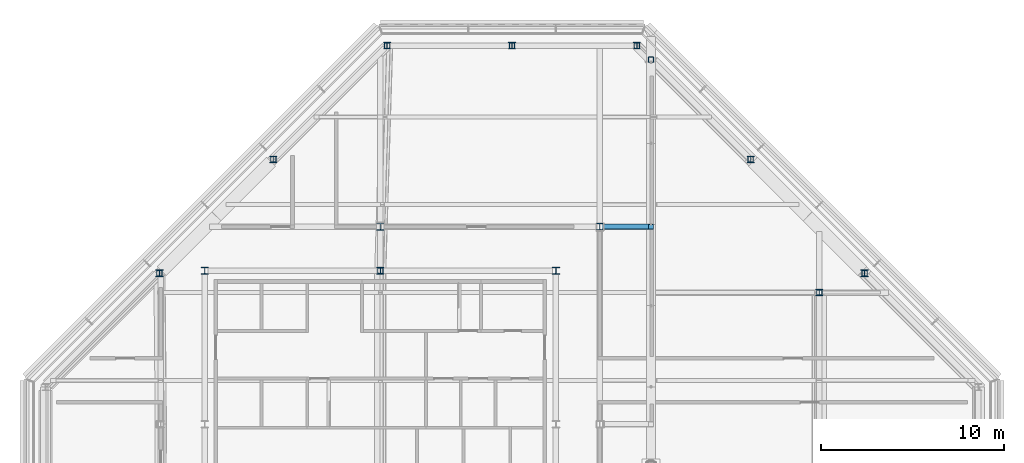
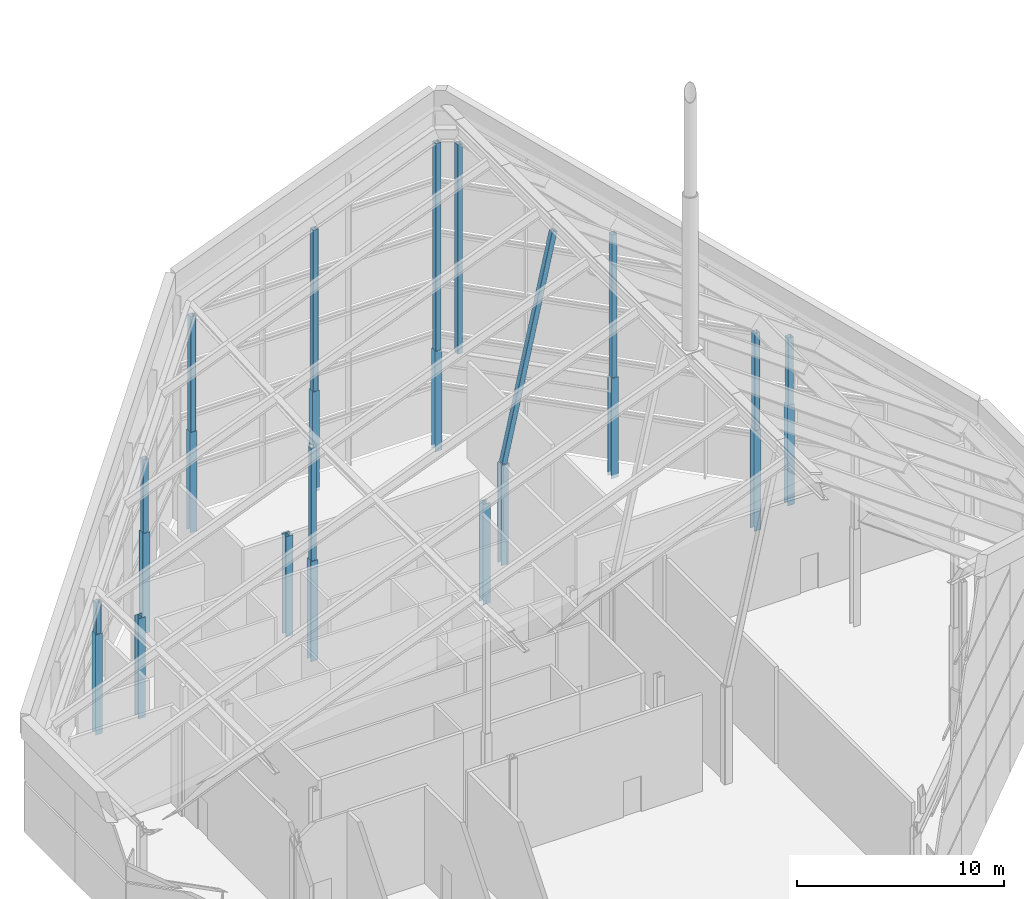
# One storey, part 3 of 21: 24 columns.
"""IFC4 building model written with IfcOpenShell, lengths in metres."""

from ifc_helpers import new_model, si_unit, direction, frame, origin, origin_2d, place, context, subcontext, project, spatial, hollow_rectangle, i_section, extrude, clip, halfspace, material, material_profile, profile_set, type_object, element, save


model = new_model("IFC4")

# Units and contexts
model_context = context("Model", 3, precision=1e-05, world=origin(), true_north=direction((0.0, 1.0)))
body_context = subcontext(model_context, "Body", "Model", "MODEL_VIEW")
ifc_project = project(units=[si_unit("LENGTHUNIT", "METRE"), si_unit("AREAUNIT", "SQUARE_METRE"), si_unit("VOLUMEUNIT", "CUBIC_METRE"), si_unit("PLANEANGLEUNIT", "RADIAN"), si_unit("MASSUNIT", "GRAM", prefix="KILO")], contexts=[model_context])

# Site, building, storey
site_placement = place(None, origin())
site = spatial("IfcSite", under=ifc_project, at=site_placement, CompositionType="ELEMENT")
building_placement = place(site_placement, origin())
building = spatial("IfcBuilding", under=site, at=building_placement, Name="Cairn Pilgrim Tower", CompositionType="ELEMENT")
storey_placement = place(building_placement, frame((0.0, 0.0, 295.800048828125)))
storey = spatial("IfcBuildingStorey", under=building, at=storey_placement, Name="L76", CompositionType="ELEMENT", Elevation=295.800048828125)

# Columns
ifc_material_1 = material(Name="Structural steel S460M", Category="steel")
ifc_material_profile_1 = material_profile(ifc_material_1, hollow_rectangle(XDim=0.300048828125, YDim=0.300048828125, WallThickness=0.01611328125, InnerFilletRadius=0.01611328125, OuterFilletRadius=0.02392578125, at=origin_2d()), Name="SHS 300x300x16")
ifc_profile_set_1 = profile_set([ifc_material_profile_1], Name="Structural steel S460M")
column_type_1 = type_object("IfcColumnType", Name="CROWN POST RHS 300x300x16", PredefinedType="COLUMN", material=ifc_profile_set_1)
column_1_placement = place(storey_placement, frame((33.67578125, 10.651611328125, 5.699951171875), z_axis=(0.0, 0.0, 1.0), x_axis=(1.0, 0.0, 0.0)))
element("IfcColumn", 1, at=column_1_placement, inside=storey, type_object=column_type_1, Name="CROWN POST", PredefinedType="COLUMN", context=body_context, shape_type="SweptSolid", body=[
    extrude(hollow_rectangle(XDim=0.300048828125, YDim=0.300048828125, WallThickness=0.01611328125, InnerFilletRadius=0.01611328125, OuterFilletRadius=0.02392578125, at=origin_2d()), origin(), (0.0, 0.0, 1.0), 3.9384765625),
])
column_2_placement = place(storey_placement, frame((27.451416015625, 16.875732421875, 5.699951171875), z_axis=(0.0, 0.0, 1.0), x_axis=(1.0, 0.0, 0.0)))
element("IfcColumn", 2, at=column_2_placement, inside=storey, type_object=column_type_1, Name="CROWN POST", PredefinedType="COLUMN", context=body_context, shape_type="SweptSolid", body=[
    extrude(hollow_rectangle(XDim=0.300048828125, YDim=0.300048828125, WallThickness=0.01611328125, InnerFilletRadius=0.01611328125, OuterFilletRadius=0.02392578125, at=origin_2d()), origin(), (0.0, 0.0, 1.0), 8.407958984375),
])
column_3_placement = place(storey_placement, frame((21.227294921875, 23.10009765625, 5.699951171875), z_axis=(0.0, 0.0, 1.0), x_axis=(1.0, 0.0, 0.0)))
element("IfcColumn", 3, at=column_3_placement, inside=storey, type_object=column_type_1, Name="CROWN POST", PredefinedType="COLUMN", context=body_context, shape_type="SweptSolid", body=[
    extrude(hollow_rectangle(XDim=0.300048828125, YDim=0.300048828125, WallThickness=0.01611328125, InnerFilletRadius=0.01611328125, OuterFilletRadius=0.02392578125, at=origin_2d()), origin(), (0.0, 0.0, 1.0), 12.201904296875),
])
column_4_placement = place(storey_placement, frame((14.39990234375, 23.10009765625, 5.699951171875), z_axis=(0.0, 0.0, 1.0), x_axis=(1.0, 0.0, 0.0)))
element("IfcColumn", 4, at=column_4_placement, inside=storey, type_object=column_type_1, Name="CROWN POST", PredefinedType="COLUMN", context=body_context, shape_type="SweptSolid", body=[
    extrude(hollow_rectangle(XDim=0.300048828125, YDim=0.300048828125, WallThickness=0.01611328125, InnerFilletRadius=0.01611328125, OuterFilletRadius=0.02392578125, at=origin_2d()), origin(), (0.0, 0.0, 1.0), 9.4912109375),
])
column_5_placement = place(storey_placement, frame((7.57275390625, 23.10009765625, 5.699951171875), z_axis=(0.0, 0.0, 1.0), x_axis=(1.0, 0.0, 0.0)))
element("IfcColumn", 5, at=column_5_placement, inside=storey, type_object=column_type_1, Name="CROWN POST", PredefinedType="COLUMN", context=body_context, shape_type="SweptSolid", body=[
    extrude(hollow_rectangle(XDim=0.300048828125, YDim=0.300048828125, WallThickness=0.01611328125, InnerFilletRadius=0.01611328125, OuterFilletRadius=0.02392578125, at=origin_2d()), origin(), (0.0, 0.0, 1.0), 6.780517578125),
])
column_6_placement = place(storey_placement, frame((1.348388671875, 16.875732421875, 5.699951171875), z_axis=(0.0, 0.0, 1.0), x_axis=(1.0, 0.0, 0.0)))
element("IfcColumn", 6, at=column_6_placement, inside=storey, type_object=column_type_1, Name="CROWN POST", PredefinedType="COLUMN", context=body_context, shape_type="SweptSolid", body=[
    extrude(hollow_rectangle(XDim=0.300048828125, YDim=0.300048828125, WallThickness=0.01611328125, InnerFilletRadius=0.01611328125, OuterFilletRadius=0.02392578125, at=origin_2d()), origin(), (0.0, 0.0, 1.0), 4.30908203125),
])
column_7_placement = place(storey_placement, frame((-4.875732421875, 10.651611328125, 5.699951171875), z_axis=(0.0, 0.0, 1.0), x_axis=(1.0, 0.0, 0.0)))
element("IfcColumn", 7, at=column_7_placement, inside=storey, type_object=column_type_1, Name="CROWN POST", PredefinedType="COLUMN", context=body_context, shape_type="SweptSolid", body=[
    extrude(hollow_rectangle(XDim=0.300048828125, YDim=0.300048828125, WallThickness=0.01611328125, InnerFilletRadius=0.01611328125, OuterFilletRadius=0.02392578125, at=origin_2d()), origin(), (0.0, 0.0, 1.0), 1.837646484375),
])
column_8_placement = place(storey_placement, frame((7.199951171875, 10.800048828125, 5.699951171875), z_axis=(0.0, 0.0, 1.0), x_axis=(1.0, 0.0, 0.0)))
element("IfcColumn", 8, at=column_8_placement, inside=storey, type_object=column_type_1, Name="CROWN POST", PredefinedType="COLUMN", context=body_context, shape_type="SweptSolid", body=[
    extrude(hollow_rectangle(XDim=0.300048828125, YDim=0.300048828125, WallThickness=0.01611328125, InnerFilletRadius=0.01611328125, OuterFilletRadius=0.02392578125, at=origin_2d()), origin(), (0.0, 0.0, 1.0), 6.63232421875),
])
column_9_placement = place(storey_placement, frame((31.199951171875, 9.60009765625, 5.699951171875), z_axis=(0.0, 0.0, 1.0), x_axis=(1.0, 0.0, 0.0)))
element("IfcColumn", 9, at=column_9_placement, inside=storey, type_object=column_type_1, Name="CROWN POST", PredefinedType="COLUMN", context=body_context, shape_type="SweptSolid", body=[
    extrude(hollow_rectangle(XDim=0.300048828125, YDim=0.300048828125, WallThickness=0.01611328125, InnerFilletRadius=0.01611328125, OuterFilletRadius=0.02392578125, at=origin_2d()), origin(), (0.0, 0.0, 1.0), 5.71630859375),
])
column_10_placement = place(storey_placement, frame((19.199951171875, 13.199951171875, 5.699951171875), z_axis=(0.214971196898, 0.0, 0.97662038915), x_axis=(0.0, 1.0, 0.0)))
element("IfcColumn", 10, at=column_10_placement, inside=storey, type_object=column_type_1, Name="CROWN POST", PredefinedType="COLUMN", context=body_context, shape_type="Clipping", body=[
    clip(extrude(hollow_rectangle(XDim=0.300048828125, YDim=0.300048828125, WallThickness=0.01611328125, InnerFilletRadius=0.01611328125, OuterFilletRadius=0.02392578125, at=origin_2d()), origin(), (0.0, 0.0, 1.0), 13.025146484375), halfspace(frame((0.0, 0.0, 0.032470703125), z_axis=(0.0, 0.0, 1.0), x_axis=(1.0, 0.0, 0.0)), True)),
])
ifc_material_profile_2 = material_profile(ifc_material_1, hollow_rectangle(XDim=0.300048828125, YDim=0.300048828125, WallThickness=0.01611328125, InnerFilletRadius=0.01611328125, OuterFilletRadius=0.02392578125, at=origin_2d()), Name="SHS 300x300x16")
ifc_profile_set_2 = profile_set([ifc_material_profile_2], Name="Structural steel S460M")
column_type_2 = type_object("IfcColumnType", Name="CROWN POST RHS 300x300x16 CPO2", PredefinedType="COLUMN", material=ifc_profile_set_2)
column_11_placement = place(storey_placement, frame((22.0, 22.3271484375, 5.699951171875), z_axis=(0.0, 0.0, 1.0), x_axis=(1.0, 0.0, 0.0)))
element("IfcColumn", 11, at=column_11_placement, inside=storey, type_object=column_type_2, Name="CROWN POST", PredefinedType="COLUMN", context=body_context, shape_type="SweptSolid", body=[
    extrude(hollow_rectangle(XDim=0.300048828125, YDim=0.300048828125, WallThickness=0.01611328125, InnerFilletRadius=0.01611328125, OuterFilletRadius=0.02392578125, at=origin_2d()), origin(), (0.0, 0.0, 1.0), 12.32275390625),
])
ifc_material_2 = material(Name="Structural steel S355J2", Category="steel")
ifc_material_profile_3 = material_profile(ifc_material_2, i_section(OverallWidth=0.39111328125, OverallDepth=0.367919921875, WebThickness=0.014892578125, FlangeThickness=0.02392578125, FilletRadius=0.014892578125, at=origin_2d()), Name="HD 400x187")
ifc_profile_set_3 = profile_set([ifc_material_profile_3], Name="Structural steel S355J2")
column_type_3 = type_object("IfcColumnType", Name="HD 400x187", PredefinedType="COLUMN", material=ifc_profile_set_3)
for number, where, z_axis, x_axis, name in (
    (12, (33.67578125, 10.651611328125, -0.199951171875), (0.0, 0.0, 1.0), (1.0, 0.0, 0.0), "PC4-NE2"),
    (13, (27.451416015625, 16.875732421875, -0.199951171875), (0.0, 0.0, 1.0), (1.0, 0.0, 0.0), "PC4-NE3"),
    (14, (21.227294921875, 23.10009765625, -0.199951171875), (0.0, 0.0, 1.0), (1.0, 0.0, 0.0), "PC4-N1"),
    (15, (14.39990234375, 23.10009765625, -0.199951171875), (0.0, 0.0, 1.0), (1.0, 0.0, 0.0), "PC4-N2"),
    (16, (7.57275390625, 23.10009765625, -0.199951171875), (0.0, 0.0, 1.0), (1.0, 0.0, 0.0), "PC4-NW1"),
    (17, (1.348388671875, 16.875732421875, -0.199951171875), (0.0, 0.0, 1.0), (1.0, 0.0, 0.0), "PC4-NW2"),
    (18, (-4.875732421875, 10.651611328125, -0.199951171875), (0.0, 0.0, 1.0), (1.0, 0.0, 0.0), "PC4-NW3"),
):
    element("IfcColumn", number, at=place(storey_placement, frame(where, z_axis=z_axis, x_axis=x_axis)), inside=storey, type_object=column_type_3, Name=name, PredefinedType="COLUMN", context=body_context, shape_type="SweptSolid", body=[
        extrude(i_section(OverallWidth=0.39111328125, OverallDepth=0.367919921875, WebThickness=0.014892578125, FlangeThickness=0.02392578125, FilletRadius=0.014892578125, at=origin_2d()), origin(), (0.0, 0.0, 1.0), 5.89990234375),
    ])
ifc_material_profile_4 = material_profile(ifc_material_2, i_section(OverallWidth=0.39404296875, OverallDepth=0.375, WebThickness=0.017333984375, FlangeThickness=0.027587890625, FilletRadius=0.014892578125, at=origin_2d()), Name="HD 400x216")
ifc_profile_set_4 = profile_set([ifc_material_profile_4], Name="Structural steel S355J2")
column_type_4 = type_object("IfcColumnType", Name="HD 400x216", PredefinedType="COLUMN", material=ifc_profile_set_4)
for number, where, z_axis, x_axis, name in (
    (19, (7.199951171875, 13.199951171875, -0.199951171875), (0.0, 0.0, 1.0), (1.0, 0.0, 0.0), "IC-7"),
    (20, (19.199951171875, 13.199951171875, -0.199951171875), (0.0, 0.0, 1.0), (1.0, 0.0, 0.0), "IC-8"),
    (21, (31.199951171875, 9.60009765625, -0.199951171875), (0.0, 0.0, 1.0), (1.0, 0.0, 0.0), "WC-WE+2"),
):
    element("IfcColumn", number, at=place(storey_placement, frame(where, z_axis=z_axis, x_axis=x_axis)), inside=storey, type_object=column_type_4, Name=name, PredefinedType="COLUMN", context=body_context, shape_type="SweptSolid", body=[
        extrude(i_section(OverallWidth=0.39404296875, OverallDepth=0.375, WebThickness=0.017333984375, FlangeThickness=0.027587890625, FilletRadius=0.014892578125, at=origin_2d()), origin(), (0.0, 0.0, 1.0), 5.89990234375),
    ])
ifc_material_profile_5 = material_profile(ifc_material_2, i_section(OverallWidth=0.39794921875, OverallDepth=0.386962890625, WebThickness=0.02099609375, FlangeThickness=0.033203125, FilletRadius=0.014892578125, at=origin_2d()), Name="HD 400x262")
ifc_profile_set_5 = profile_set([ifc_material_profile_5], Name="Structural steel S355J2")
column_type_5 = type_object("IfcColumnType", Name="HD 400x262", PredefinedType="COLUMN", material=ifc_profile_set_5)
for number, where, z_axis, x_axis, name in (
    (22, (-2.39990234375, 10.800048828125, -0.199951171875), (0.0, 0.0, 1.0), (1.0, 0.0, 0.0), "KC-6"),
    (23, (7.199951171875, 10.800048828125, -0.199951171875), (0.0, 0.0, 1.0), (1.0, 0.0, 0.0), "KC-7"),
    (24, (16.800048828125, 10.800048828125, -0.199951171875), (0.0, 0.0, 1.0), (1.0, 0.0, 0.0), "KC-8"),
):
    element("IfcColumn", number, at=place(storey_placement, frame(where, z_axis=z_axis, x_axis=x_axis)), inside=storey, type_object=column_type_5, Name=name, PredefinedType="COLUMN", context=body_context, shape_type="SweptSolid", body=[
        extrude(i_section(OverallWidth=0.39794921875, OverallDepth=0.386962890625, WebThickness=0.02099609375, FlangeThickness=0.033203125, FilletRadius=0.014892578125, at=origin_2d()), origin(), (0.0, 0.0, 1.0), 5.89990234375),
    ])

save(model, "model.ifc")
